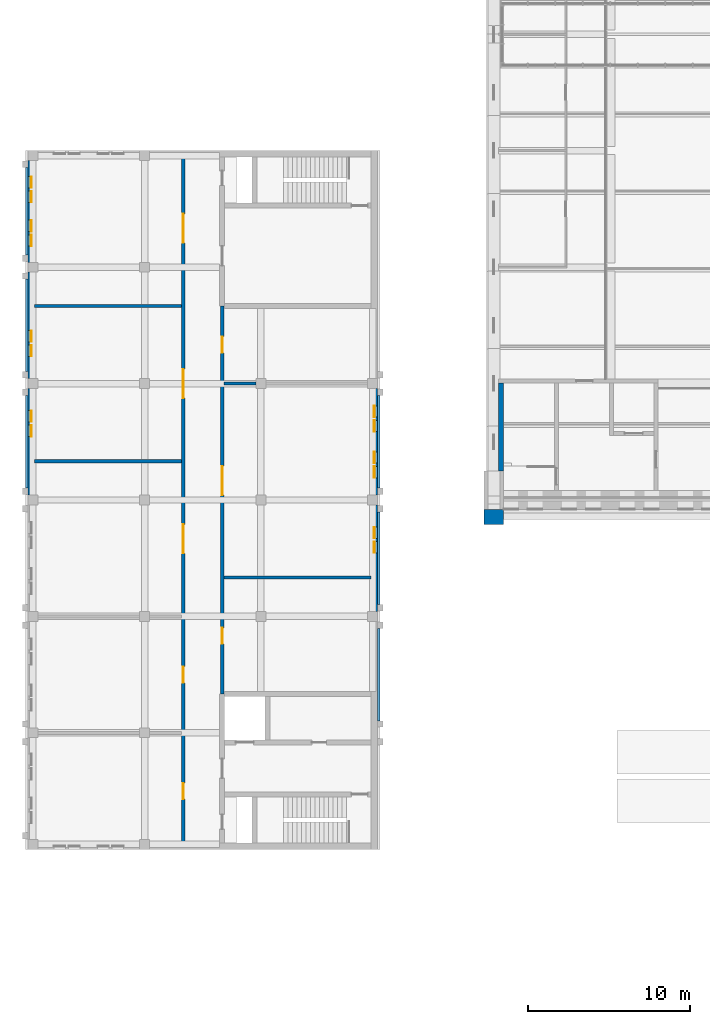
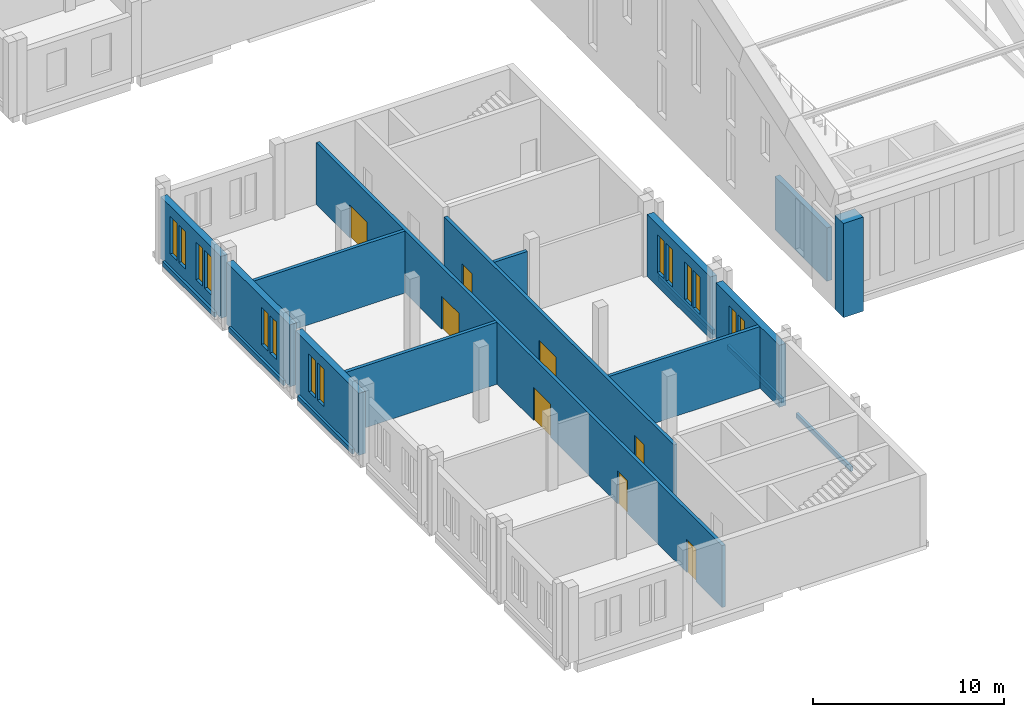
# One storey, part 122 of 149: 19 walls, 14 windows, 8 doors, 22 openings.
"""IFC4 building model written with IfcOpenShell, lengths in metres."""

from ifc_helpers import new_model, si_unit, direction, frame, frame_2d, origin, place, context, subcontext, project, spatial, rectangle, extrude, material, layer, layer_set, type_object, element, fill, save


model = new_model("IFC4")

# Units and contexts
model_context = context("Model", 3, precision=1e-05, world=origin(), true_north=direction((0.0, 1.0)))
body_context = subcontext(model_context, "Body", "Model", "MODEL_VIEW")
ifc_project = project(units=[si_unit("LENGTHUNIT", "METRE"), si_unit("AREAUNIT", "SQUARE_METRE"), si_unit("VOLUMEUNIT", "CUBIC_METRE"), si_unit("PLANEANGLEUNIT", "RADIAN"), si_unit("MASSUNIT", "GRAM", prefix="KILO")], contexts=[model_context])

# Site, building, storey
site_placement = place(None, origin())
site = spatial("IfcSite", under=ifc_project, at=site_placement, CompositionType="ELEMENT")
building_placement = place(site_placement, origin())
building = spatial("IfcBuilding", under=site, at=building_placement, Name="Alderwick Market Hall", CompositionType="ELEMENT")
storey_placement = place(building_placement, frame((0.0, 0.0, 9.60009765625)))
storey = spatial("IfcBuildingStorey", under=building, at=storey_placement, Name="L01", CompositionType="ELEMENT", Elevation=9.60009765625)

# Wall, openings, windows
ifc_material_1 = material(Name="Face brick", Category="masonry")
ifc_layer_1 = layer(ifc_material_1, 0.39990234375)
ifc_layer_set_1 = layer_set([ifc_layer_1], Name="Face brick")
wall_type_1 = type_object("IfcWallType", Name="B Brick Cavity Wall 400", PredefinedType="SOLIDWALL", material=ifc_layer_set_1)
wall_1_placement = place(storey_placement, frame((21.800048828125, 50.699951171875, 0.0), z_axis=(0.0, 0.0, 1.0), x_axis=(0.0, 1.0, 0.0)))
wall_1 = element("IfcWall", 1, at=wall_1_placement, inside=storey, type_object=wall_type_1, Name="B.S.wall.L01.021", PredefinedType="SOLIDWALL", context=body_context, shape_type="SweptSolid", body=[
    extrude(rectangle(XDim=6.60009765625, YDim=0.39990234375, at=frame_2d((3.300048828125, 0.0))), origin(), (0.0, 0.0, 1.0), 3.949951171875),
])
opening_1_placement = place(wall_1_placement, frame((3.625, 0.0, 0.89990234375)))
opening_1 = element("IfcOpeningElement", 2, at=opening_1_placement, cuts=wall_1, Name="Opening B-W134", PredefinedType="OPENING", context=body_context, shape_type="SweptSolid", body=[
    extrude(rectangle(XDim=0.699951171875, YDim=2.39990234375, at=frame_2d((0.35009765625, 1.199951171875))), frame((0.0, 0.2099609375, 0.0), z_axis=(0.0, -1.0, 0.0), x_axis=(1.0, 0.0, 0.0)), (0.0, 0.0, 1.0), 0.419921875),
])
opening_2_placement = place(wall_1_placement, frame((4.52490234375, 0.0, 0.89990234375)))
opening_2 = element("IfcOpeningElement", 3, at=opening_2_placement, cuts=wall_1, Name="Opening B-W135", PredefinedType="OPENING", context=body_context, shape_type="SweptSolid", body=[
    extrude(rectangle(XDim=0.699951171875, YDim=2.39990234375, at=frame_2d((0.35009765625, 1.199951171875))), frame((0.0, 0.2099609375, 0.0), z_axis=(0.0, -1.0, 0.0), x_axis=(1.0, 0.0, 0.0)), (0.0, 0.0, 1.0), 0.419921875),
])
ifc_material_2 = material(Name="Aluminium frame", Category="aluminium")
window_type = type_object("IfcWindowType", Name="B Piano Nobile Window 700x2400", PartitioningType="SINGLE_PANEL", PredefinedType="WINDOW", material=ifc_material_2)
window_1_placement = place(opening_1_placement, origin())
window_1 = element("IfcWindow", 4, at=window_1_placement, inside=storey, type_object=window_type, Name="Window B-W134", OverallHeight=2.39990234375, OverallWidth=0.699951171875, PartitioningType="SINGLE_PANEL", PredefinedType="WINDOW", context=body_context, shape_type="SweptSolid", body=[
    extrude(rectangle(XDim=0.699951171875, YDim=2.39990234375, at=frame_2d((0.35009765625, 1.199951171875))), frame((0.0, 0.030029296875, 0.0), z_axis=(0.0, -1.0, 0.0), x_axis=(1.0, 0.0, 0.0)), (0.0, 0.0, 1.0), 0.06005859375),
])
fill(opening_1, window_1)
window_2_placement = place(opening_2_placement, origin())
window_2 = element("IfcWindow", 5, at=window_2_placement, inside=storey, type_object=window_type, Name="Window B-W135", OverallHeight=2.39990234375, OverallWidth=0.699951171875, PartitioningType="SINGLE_PANEL", PredefinedType="WINDOW", context=body_context, shape_type="SweptSolid", body=[
    extrude(rectangle(XDim=0.699951171875, YDim=2.39990234375, at=frame_2d((0.35009765625, 1.199951171875))), frame((0.0, 0.030029296875, 0.0), z_axis=(0.0, -1.0, 0.0), x_axis=(1.0, 0.0, 0.0)), (0.0, 0.0, 1.0), 0.06005859375),
])
fill(opening_2, window_2)

wall_2_placement = place(storey_placement, frame((21.800048828125, 57.89990234375, 0.0), z_axis=(0.0, 0.0, 1.0), x_axis=(0.0, 1.0, 0.0)))
wall_2 = element("IfcWall", 6, at=wall_2_placement, inside=storey, type_object=wall_type_1, Name="B.S.wall.L01.022", PredefinedType="SOLIDWALL", context=body_context, shape_type="SweptSolid", body=[
    extrude(rectangle(XDim=6.60009765625, YDim=0.39990234375, at=frame_2d((3.300048828125, 0.0))), origin(), (0.0, 0.0, 1.0), 3.949951171875),
])
opening_3_placement = place(wall_2_placement, frame((1.375, 0.0, 0.89990234375)))
opening_3 = element("IfcOpeningElement", 7, at=opening_3_placement, cuts=wall_2, Name="Opening B-W136", PredefinedType="OPENING", context=body_context, shape_type="SweptSolid", body=[
    extrude(rectangle(XDim=0.699951171875, YDim=2.39990234375, at=frame_2d((0.35009765625, 1.199951171875))), frame((0.0, 0.2099609375, 0.0), z_axis=(0.0, -1.0, 0.0), x_axis=(1.0, 0.0, 0.0)), (0.0, 0.0, 1.0), 0.419921875),
])
opening_4_placement = place(wall_2_placement, frame((2.27490234375, 0.0, 0.89990234375)))
opening_4 = element("IfcOpeningElement", 8, at=opening_4_placement, cuts=wall_2, Name="Opening B-W137", PredefinedType="OPENING", context=body_context, shape_type="SweptSolid", body=[
    extrude(rectangle(XDim=0.699951171875, YDim=2.39990234375, at=frame_2d((0.35009765625, 1.199951171875))), frame((0.0, 0.2099609375, 0.0), z_axis=(0.0, -1.0, 0.0), x_axis=(1.0, 0.0, 0.0)), (0.0, 0.0, 1.0), 0.419921875),
])
window_3_placement = place(opening_3_placement, origin())
window_3 = element("IfcWindow", 9, at=window_3_placement, inside=storey, type_object=window_type, Name="Window B-W136", OverallHeight=2.39990234375, OverallWidth=0.699951171875, PartitioningType="SINGLE_PANEL", PredefinedType="WINDOW", context=body_context, shape_type="SweptSolid", body=[
    extrude(rectangle(XDim=0.699951171875, YDim=2.39990234375, at=frame_2d((0.35009765625, 1.199951171875))), frame((0.0, 0.030029296875, 0.0), z_axis=(0.0, -1.0, 0.0), x_axis=(1.0, 0.0, 0.0)), (0.0, 0.0, 1.0), 0.06005859375),
])
fill(opening_3, window_3)
window_4_placement = place(opening_4_placement, origin())
window_4 = element("IfcWindow", 10, at=window_4_placement, inside=storey, type_object=window_type, Name="Window B-W137", OverallHeight=2.39990234375, OverallWidth=0.699951171875, PartitioningType="SINGLE_PANEL", PredefinedType="WINDOW", context=body_context, shape_type="SweptSolid", body=[
    extrude(rectangle(XDim=0.699951171875, YDim=2.39990234375, at=frame_2d((0.35009765625, 1.199951171875))), frame((0.0, 0.030029296875, 0.0), z_axis=(0.0, -1.0, 0.0), x_axis=(1.0, 0.0, 0.0)), (0.0, 0.0, 1.0), 0.06005859375),
])
fill(opening_4, window_4)

wall_3_placement = place(storey_placement, frame((21.800048828125, 65.10009765625, 0.0), z_axis=(0.0, 0.0, 1.0), x_axis=(0.0, 1.0, 0.0)))
wall_3 = element("IfcWall", 11, at=wall_3_placement, inside=storey, type_object=wall_type_1, Name="B.S.wall.L01.023", PredefinedType="SOLIDWALL", context=body_context, shape_type="SweptSolid", body=[
    extrude(rectangle(XDim=6.2998046875, YDim=0.39990234375, at=frame_2d((3.14990234375, 0.0))), origin(), (0.0, 0.0, 1.0), 3.949951171875),
])
opening_5_placement = place(wall_3_placement, frame((1.0, 0.0, 0.89990234375)))
opening_5 = element("IfcOpeningElement", 12, at=opening_5_placement, cuts=wall_3, Name="Opening B-W138", PredefinedType="OPENING", context=body_context, shape_type="SweptSolid", body=[
    extrude(rectangle(XDim=0.699951171875, YDim=2.39990234375, at=frame_2d((0.35009765625, 1.199951171875))), frame((0.0, 0.2099609375, 0.0), z_axis=(0.0, -1.0, 0.0), x_axis=(1.0, 0.0, 0.0)), (0.0, 0.0, 1.0), 0.419921875),
])
opening_6_placement = place(wall_3_placement, frame((1.89990234375, 0.0, 0.89990234375)))
opening_6 = element("IfcOpeningElement", 13, at=opening_6_placement, cuts=wall_3, Name="Opening B-W139", PredefinedType="OPENING", context=body_context, shape_type="SweptSolid", body=[
    extrude(rectangle(XDim=0.699951171875, YDim=2.39990234375, at=frame_2d((0.35009765625, 1.199951171875))), frame((0.0, 0.2099609375, 0.0), z_axis=(0.0, -1.0, 0.0), x_axis=(1.0, 0.0, 0.0)), (0.0, 0.0, 1.0), 0.419921875),
])
opening_7_placement = place(wall_3_placement, frame((3.699951171875, 0.0, 0.89990234375)))
opening_7 = element("IfcOpeningElement", 14, at=opening_7_placement, cuts=wall_3, Name="Opening B-W140", PredefinedType="OPENING", context=body_context, shape_type="SweptSolid", body=[
    extrude(rectangle(XDim=0.699951171875, YDim=2.39990234375, at=frame_2d((0.35009765625, 1.199951171875))), frame((0.0, 0.2099609375, 0.0), z_axis=(0.0, -1.0, 0.0), x_axis=(1.0, 0.0, 0.0)), (0.0, 0.0, 1.0), 0.419921875),
])
opening_8_placement = place(wall_3_placement, frame((4.60009765625, 0.0, 0.89990234375)))
opening_8 = element("IfcOpeningElement", 15, at=opening_8_placement, cuts=wall_3, Name="Opening B-W141", PredefinedType="OPENING", context=body_context, shape_type="SweptSolid", body=[
    extrude(rectangle(XDim=0.699951171875, YDim=2.39990234375, at=frame_2d((0.35009765625, 1.199951171875))), frame((0.0, 0.2099609375, 0.0), z_axis=(0.0, -1.0, 0.0), x_axis=(1.0, 0.0, 0.0)), (0.0, 0.0, 1.0), 0.419921875),
])
window_5_placement = place(opening_5_placement, origin())
window_5 = element("IfcWindow", 16, at=window_5_placement, inside=storey, type_object=window_type, Name="Window B-W138", OverallHeight=2.39990234375, OverallWidth=0.699951171875, PartitioningType="SINGLE_PANEL", PredefinedType="WINDOW", context=body_context, shape_type="SweptSolid", body=[
    extrude(rectangle(XDim=0.699951171875, YDim=2.39990234375, at=frame_2d((0.35009765625, 1.199951171875))), frame((0.0, 0.030029296875, 0.0), z_axis=(0.0, -1.0, 0.0), x_axis=(1.0, 0.0, 0.0)), (0.0, 0.0, 1.0), 0.06005859375),
])
fill(opening_5, window_5)
window_6_placement = place(opening_6_placement, origin())
window_6 = element("IfcWindow", 17, at=window_6_placement, inside=storey, type_object=window_type, Name="Window B-W139", OverallHeight=2.39990234375, OverallWidth=0.699951171875, PartitioningType="SINGLE_PANEL", PredefinedType="WINDOW", context=body_context, shape_type="SweptSolid", body=[
    extrude(rectangle(XDim=0.699951171875, YDim=2.39990234375, at=frame_2d((0.35009765625, 1.199951171875))), frame((0.0, 0.030029296875, 0.0), z_axis=(0.0, -1.0, 0.0), x_axis=(1.0, 0.0, 0.0)), (0.0, 0.0, 1.0), 0.06005859375),
])
fill(opening_6, window_6)
window_7_placement = place(opening_7_placement, origin())
window_7 = element("IfcWindow", 18, at=window_7_placement, inside=storey, type_object=window_type, Name="Window B-W140", OverallHeight=2.39990234375, OverallWidth=0.699951171875, PartitioningType="SINGLE_PANEL", PredefinedType="WINDOW", context=body_context, shape_type="SweptSolid", body=[
    extrude(rectangle(XDim=0.699951171875, YDim=2.39990234375, at=frame_2d((0.35009765625, 1.199951171875))), frame((0.0, 0.030029296875, 0.0), z_axis=(0.0, -1.0, 0.0), x_axis=(1.0, 0.0, 0.0)), (0.0, 0.0, 1.0), 0.06005859375),
])
fill(opening_7, window_7)
window_8_placement = place(opening_8_placement, origin())
window_8 = element("IfcWindow", 19, at=window_8_placement, inside=storey, type_object=window_type, Name="Window B-W141", OverallHeight=2.39990234375, OverallWidth=0.699951171875, PartitioningType="SINGLE_PANEL", PredefinedType="WINDOW", context=body_context, shape_type="SweptSolid", body=[
    extrude(rectangle(XDim=0.699951171875, YDim=2.39990234375, at=frame_2d((0.35009765625, 1.199951171875))), frame((0.0, 0.030029296875, 0.0), z_axis=(0.0, -1.0, 0.0), x_axis=(1.0, 0.0, 0.0)), (0.0, 0.0, 1.0), 0.06005859375),
])
fill(opening_8, window_8)

wall_4_placement = place(storey_placement, frame((43.0, 43.5, 0.0), z_axis=(0.0, 0.0, 1.0), x_axis=(0.0, 1.0, 0.0)))
wall_4 = element("IfcWall", 20, at=wall_4_placement, inside=storey, type_object=wall_type_1, Name="B.S.wall.L01.032", PredefinedType="SOLIDWALL", context=body_context, shape_type="SweptSolid", body=[
    extrude(rectangle(XDim=6.60009765625, YDim=0.39990234375, at=frame_2d((3.300048828125, 0.0))), origin(), (0.0, 0.0, 1.0), 3.949951171875),
])
opening_9_placement = place(wall_4_placement, frame((3.625, 0.0, 0.89990234375)))
opening_9 = element("IfcOpeningElement", 21, at=opening_9_placement, cuts=wall_4, Name="Opening B-W142", PredefinedType="OPENING", context=body_context, shape_type="SweptSolid", body=[
    extrude(rectangle(XDim=0.699951171875, YDim=2.39990234375, at=frame_2d((0.35009765625, 1.199951171875))), frame((0.0, 0.2099609375, 0.0), z_axis=(0.0, -1.0, 0.0), x_axis=(1.0, 0.0, 0.0)), (0.0, 0.0, 1.0), 0.419921875),
])
opening_10_placement = place(wall_4_placement, frame((4.52490234375, 0.0, 0.89990234375)))
opening_10 = element("IfcOpeningElement", 22, at=opening_10_placement, cuts=wall_4, Name="Opening B-W143", PredefinedType="OPENING", context=body_context, shape_type="SweptSolid", body=[
    extrude(rectangle(XDim=0.699951171875, YDim=2.39990234375, at=frame_2d((0.35009765625, 1.199951171875))), frame((0.0, 0.2099609375, 0.0), z_axis=(0.0, -1.0, 0.0), x_axis=(1.0, 0.0, 0.0)), (0.0, 0.0, 1.0), 0.419921875),
])
window_9_placement = place(opening_9_placement, origin())
window_9 = element("IfcWindow", 23, at=window_9_placement, inside=storey, type_object=window_type, Name="Window B-W142", OverallHeight=2.39990234375, OverallWidth=0.699951171875, PartitioningType="SINGLE_PANEL", PredefinedType="WINDOW", context=body_context, shape_type="SweptSolid", body=[
    extrude(rectangle(XDim=0.699951171875, YDim=2.39990234375, at=frame_2d((0.35009765625, 1.199951171875))), frame((0.0, 0.030029296875, 0.0), z_axis=(0.0, -1.0, 0.0), x_axis=(1.0, 0.0, 0.0)), (0.0, 0.0, 1.0), 0.06005859375),
])
fill(opening_9, window_9)
window_10_placement = place(opening_10_placement, origin())
window_10 = element("IfcWindow", 24, at=window_10_placement, inside=storey, type_object=window_type, Name="Window B-W143", OverallHeight=2.39990234375, OverallWidth=0.699951171875, PartitioningType="SINGLE_PANEL", PredefinedType="WINDOW", context=body_context, shape_type="SweptSolid", body=[
    extrude(rectangle(XDim=0.699951171875, YDim=2.39990234375, at=frame_2d((0.35009765625, 1.199951171875))), frame((0.0, 0.030029296875, 0.0), z_axis=(0.0, -1.0, 0.0), x_axis=(1.0, 0.0, 0.0)), (0.0, 0.0, 1.0), 0.06005859375),
])
fill(opening_10, window_10)

wall_5_placement = place(storey_placement, frame((43.0, 50.699951171875, 0.0), z_axis=(0.0, 0.0, 1.0), x_axis=(0.0, 1.0, 0.0)))
wall_5 = element("IfcWall", 25, at=wall_5_placement, inside=storey, type_object=wall_type_1, Name="B.S.wall.L01.033", PredefinedType="SOLIDWALL", context=body_context, shape_type="SweptSolid", body=[
    extrude(rectangle(XDim=6.60009765625, YDim=0.39990234375, at=frame_2d((3.300048828125, 0.0))), origin(), (0.0, 0.0, 1.0), 3.949951171875),
])
opening_11_placement = place(wall_5_placement, frame((1.074951171875, 0.0, 0.89990234375)))
opening_11 = element("IfcOpeningElement", 26, at=opening_11_placement, cuts=wall_5, Name="Opening B-W144", PredefinedType="OPENING", context=body_context, shape_type="SweptSolid", body=[
    extrude(rectangle(XDim=0.699951171875, YDim=2.39990234375, at=frame_2d((0.35009765625, 1.199951171875))), frame((0.0, 0.2099609375, 0.0), z_axis=(0.0, -1.0, 0.0), x_axis=(1.0, 0.0, 0.0)), (0.0, 0.0, 1.0), 0.419921875),
])
opening_12_placement = place(wall_5_placement, frame((1.97509765625, 0.0, 0.89990234375)))
opening_12 = element("IfcOpeningElement", 27, at=opening_12_placement, cuts=wall_5, Name="Opening B-W145", PredefinedType="OPENING", context=body_context, shape_type="SweptSolid", body=[
    extrude(rectangle(XDim=0.699951171875, YDim=2.39990234375, at=frame_2d((0.35009765625, 1.199951171875))), frame((0.0, 0.2099609375, 0.0), z_axis=(0.0, -1.0, 0.0), x_axis=(1.0, 0.0, 0.0)), (0.0, 0.0, 1.0), 0.419921875),
])
opening_13_placement = place(wall_5_placement, frame((3.925048828125, 0.0, 0.89990234375)))
opening_13 = element("IfcOpeningElement", 28, at=opening_13_placement, cuts=wall_5, Name="Opening B-W146", PredefinedType="OPENING", context=body_context, shape_type="SweptSolid", body=[
    extrude(rectangle(XDim=0.699951171875, YDim=2.39990234375, at=frame_2d((0.35009765625, 1.199951171875))), frame((0.0, 0.2099609375, 0.0), z_axis=(0.0, -1.0, 0.0), x_axis=(1.0, 0.0, 0.0)), (0.0, 0.0, 1.0), 0.419921875),
])
opening_14_placement = place(wall_5_placement, frame((4.824951171875, 0.0, 0.89990234375)))
opening_14 = element("IfcOpeningElement", 29, at=opening_14_placement, cuts=wall_5, Name="Opening B-W147", PredefinedType="OPENING", context=body_context, shape_type="SweptSolid", body=[
    extrude(rectangle(XDim=0.699951171875, YDim=2.39990234375, at=frame_2d((0.35009765625, 1.199951171875))), frame((0.0, 0.2099609375, 0.0), z_axis=(0.0, -1.0, 0.0), x_axis=(1.0, 0.0, 0.0)), (0.0, 0.0, 1.0), 0.419921875),
])
window_11_placement = place(opening_11_placement, origin())
window_11 = element("IfcWindow", 30, at=window_11_placement, inside=storey, type_object=window_type, Name="Window B-W144", OverallHeight=2.39990234375, OverallWidth=0.699951171875, PartitioningType="SINGLE_PANEL", PredefinedType="WINDOW", context=body_context, shape_type="SweptSolid", body=[
    extrude(rectangle(XDim=0.699951171875, YDim=2.39990234375, at=frame_2d((0.35009765625, 1.199951171875))), frame((0.0, 0.030029296875, 0.0), z_axis=(0.0, -1.0, 0.0), x_axis=(1.0, 0.0, 0.0)), (0.0, 0.0, 1.0), 0.06005859375),
])
fill(opening_11, window_11)
window_12_placement = place(opening_12_placement, origin())
window_12 = element("IfcWindow", 31, at=window_12_placement, inside=storey, type_object=window_type, Name="Window B-W145", OverallHeight=2.39990234375, OverallWidth=0.699951171875, PartitioningType="SINGLE_PANEL", PredefinedType="WINDOW", context=body_context, shape_type="SweptSolid", body=[
    extrude(rectangle(XDim=0.699951171875, YDim=2.39990234375, at=frame_2d((0.35009765625, 1.199951171875))), frame((0.0, 0.030029296875, 0.0), z_axis=(0.0, -1.0, 0.0), x_axis=(1.0, 0.0, 0.0)), (0.0, 0.0, 1.0), 0.06005859375),
])
fill(opening_12, window_12)
window_13_placement = place(opening_13_placement, origin())
window_13 = element("IfcWindow", 32, at=window_13_placement, inside=storey, type_object=window_type, Name="Window B-W146", OverallHeight=2.39990234375, OverallWidth=0.699951171875, PartitioningType="SINGLE_PANEL", PredefinedType="WINDOW", context=body_context, shape_type="SweptSolid", body=[
    extrude(rectangle(XDim=0.699951171875, YDim=2.39990234375, at=frame_2d((0.35009765625, 1.199951171875))), frame((0.0, 0.030029296875, 0.0), z_axis=(0.0, -1.0, 0.0), x_axis=(1.0, 0.0, 0.0)), (0.0, 0.0, 1.0), 0.06005859375),
])
fill(opening_13, window_13)
window_14_placement = place(opening_14_placement, origin())
window_14 = element("IfcWindow", 33, at=window_14_placement, inside=storey, type_object=window_type, Name="Window B-W147", OverallHeight=2.39990234375, OverallWidth=0.699951171875, PartitioningType="SINGLE_PANEL", PredefinedType="WINDOW", context=body_context, shape_type="SweptSolid", body=[
    extrude(rectangle(XDim=0.699951171875, YDim=2.39990234375, at=frame_2d((0.35009765625, 1.199951171875))), frame((0.0, 0.030029296875, 0.0), z_axis=(0.0, -1.0, 0.0), x_axis=(1.0, 0.0, 0.0)), (0.0, 0.0, 1.0), 0.06005859375),
])
fill(opening_14, window_14)

# Walls
ifc_material_3 = material(Name="Cast stone 5000 psi", Category="masonry")
ifc_layer_2 = layer(ifc_material_3, 0.14990234375)
ifc_layer_set_2 = layer_set([ifc_layer_2], Name="Cast stone 5000 psi")
wall_type_2 = type_object("IfcWallType", Name="B Cast Stone String Course 150", PredefinedType="SOLIDWALL", material=ifc_layer_set_2)
wall_6_placement = place(storey_placement, frame((21.52490234375, 51.14990234375, -0.150146484375), z_axis=(0.0, 0.0, 1.0), x_axis=(0.0, 1.0, 0.0)))
element("IfcWall", 34, at=wall_6_placement, inside=storey, type_object=wall_type_2, Name="B.S.string.W.07", PredefinedType="SOLIDWALL", context=body_context, shape_type="SweptSolid", body=[
    extrude(rectangle(XDim=5.7001953125, YDim=0.14990234375, at=frame_2d((2.85009765625, 0.0))), origin(), (0.0, 0.0, 1.0), 0.300048828125),
])
wall_7_placement = place(storey_placement, frame((21.52490234375, 58.35009765625, -0.150146484375), z_axis=(0.0, 0.0, 1.0), x_axis=(0.0, 1.0, 0.0)))
element("IfcWall", 35, at=wall_7_placement, inside=storey, type_object=wall_type_2, Name="B.S.string.W.09", PredefinedType="SOLIDWALL", context=body_context, shape_type="SweptSolid", body=[
    extrude(rectangle(XDim=5.699951171875, YDim=0.14990234375, at=frame_2d((2.85009765625, 0.0))), origin(), (0.0, 0.0, 1.0), 0.300048828125),
])
wall_8_placement = place(storey_placement, frame((21.52490234375, 65.550048828125, -0.150146484375), z_axis=(0.0, 0.0, 1.0), x_axis=(0.0, 1.0, 0.0)))
element("IfcWall", 36, at=wall_8_placement, inside=storey, type_object=wall_type_2, Name="B.S.string.W.11", PredefinedType="SOLIDWALL", context=body_context, shape_type="SweptSolid", body=[
    extrude(rectangle(XDim=5.39990234375, YDim=0.14990234375, at=frame_2d((2.699951171875, 0.0))), origin(), (0.0, 0.0, 1.0), 0.300048828125),
])
for number, where, z_axis, x_axis, name in (
    (37, (43.27490234375, 36.75, -0.150146484375), (0.0, 0.0, 1.0), (0.0, 1.0, 0.0), "B.S.string.E.02"),
    (38, (43.27490234375, 43.949951171875, -0.150146484375), (0.0, 0.0, 1.0), (0.0, 1.0, 0.0), "B.S.string.E.04"),
):
    element("IfcWall", number, at=place(storey_placement, frame(where, z_axis=z_axis, x_axis=x_axis)), inside=storey, type_object=wall_type_2, Name=name, PredefinedType="SOLIDWALL", context=body_context, shape_type="SweptSolid", body=[
        extrude(rectangle(XDim=5.699951171875, YDim=0.14990234375, at=frame_2d((2.85009765625, 0.0))), origin(), (0.0, 0.0, 1.0), 0.300048828125),
    ])
wall_9_placement = place(storey_placement, frame((43.27490234375, 51.14990234375, -0.150146484375), z_axis=(0.0, 0.0, 1.0), x_axis=(0.0, 1.0, 0.0)))
element("IfcWall", 39, at=wall_9_placement, inside=storey, type_object=wall_type_2, Name="B.S.string.E.06", PredefinedType="SOLIDWALL", context=body_context, shape_type="SweptSolid", body=[
    extrude(rectangle(XDim=5.7001953125, YDim=0.14990234375, at=frame_2d((2.85009765625, 0.0))), origin(), (0.0, 0.0, 1.0), 0.300048828125),
])
ifc_material_4 = material(Name="Concrete masonry 3000 psi", Category="masonry")
ifc_layer_3 = layer(ifc_material_4, 0.199951171875)
ifc_layer_set_3 = layer_set([ifc_layer_3], Name="Concrete masonry 3000 psi")
wall_type_3 = type_object("IfcWallType", Name="B Masonry Partition 200", PredefinedType="PARTITIONING", material=ifc_layer_set_3)
for number, where, z_axis, x_axis, name in (
    (40, (33.699951171875, 45.60009765625, 0.0), (0.0, 0.0, 1.0), (1.0, 0.0, 0.0), "B.S.wall.L01.009"),
    (41, (22.0, 52.800048828125, 0.0), (0.0, 0.0, 1.0), (1.0, 0.0, 0.0), "B.S.wall.L01.010"),
):
    element("IfcWall", number, at=place(storey_placement, frame(where, z_axis=z_axis, x_axis=x_axis)), inside=storey, type_object=wall_type_3, Name=name, PredefinedType="PARTITIONING", context=body_context, shape_type="SweptSolid", body=[
        extrude(rectangle(XDim=9.10009765625, YDim=0.199951171875, at=frame_2d((4.550048828125, 0.0))), origin(), (0.0, 0.0, 1.0), 3.949951171875),
    ])
wall_10_placement = place(storey_placement, frame((33.699951171875, 57.60009765625, 0.0), z_axis=(0.0, 0.0, 1.0), x_axis=(1.0, 0.0, 0.0)))
element("IfcWall", 42, at=wall_10_placement, inside=storey, type_object=wall_type_3, Name="B.S.wall.L01.011", PredefinedType="PARTITIONING", context=body_context, shape_type="SweptSolid", body=[
    extrude(rectangle(XDim=2.0, YDim=0.199951171875, at=frame_2d((1.0, 0.0))), origin(), (0.0, 0.0, 1.0), 3.949951171875),
])
wall_11_placement = place(storey_placement, frame((22.0, 62.39990234375, 0.0), z_axis=(0.0, 0.0, 1.0), x_axis=(1.0, 0.0, 0.0)))
element("IfcWall", 43, at=wall_11_placement, inside=storey, type_object=wall_type_3, Name="B.S.wall.L01.013", PredefinedType="PARTITIONING", context=body_context, shape_type="SweptSolid", body=[
    extrude(rectangle(XDim=9.10009765625, YDim=0.199951171875, at=frame_2d((4.550048828125, 0.0))), origin(), (0.0, 0.0, 1.0), 3.949951171875),
])

# Wall, openings, doors
wall_12_placement = place(storey_placement, frame((31.199951171875, 29.199951171875, 0.0), z_axis=(0.0, 0.0, 1.0), x_axis=(0.0, 1.0, 0.0)))
wall_12 = element("IfcWall", 44, at=wall_12_placement, inside=storey, type_object=wall_type_3, Name="B.S.wall.L01.024", PredefinedType="PARTITIONING", context=body_context, shape_type="SweptSolid", body=[
    extrude(rectangle(XDim=42.400146484375, YDim=0.199951171875, at=frame_2d((21.2001953125, 0.0))), origin(), (0.0, 0.0, 1.0), 3.949951171875),
])
opening_15_placement = place(wall_12_placement, frame((2.699951171875, 0.0, 0.0)))
opening_15 = element("IfcOpeningElement", 45, at=opening_15_placement, cuts=wall_12, Name="Opening B-D112", PredefinedType="OPENING", context=body_context, shape_type="SweptSolid", body=[
    extrude(rectangle(XDim=1.0, YDim=2.10009765625, at=frame_2d((0.5, 1.050048828125))), frame((0.0, 0.10986328125, 0.0), z_axis=(0.0, -1.0, 0.0), x_axis=(1.0, 0.0, 0.0)), (0.0, 0.0, 1.0), 0.219970703125),
])
opening_16_placement = place(wall_12_placement, frame((9.89990234375, 0.0, 0.0)))
opening_16 = element("IfcOpeningElement", 46, at=opening_16_placement, cuts=wall_12, Name="Opening B-D113", PredefinedType="OPENING", context=body_context, shape_type="SweptSolid", body=[
    extrude(rectangle(XDim=1.0, YDim=2.10009765625, at=frame_2d((0.5, 1.050048828125))), frame((0.0, 0.10986328125, 0.0), z_axis=(0.0, -1.0, 0.0), x_axis=(1.0, 0.0, 0.0)), (0.0, 0.0, 1.0), 0.219970703125),
])
opening_17_placement = place(wall_12_placement, frame((17.89990234375, 0.0, 0.0)))
opening_17 = element("IfcOpeningElement", 47, at=opening_17_placement, cuts=wall_12, Name="Opening B-D114", PredefinedType="OPENING", context=body_context, shape_type="SweptSolid", body=[
    extrude(rectangle(XDim=1.800048828125, YDim=2.10009765625, at=frame_2d((0.89990234375, 1.050048828125))), frame((0.0, 0.10986328125, 0.0), z_axis=(0.0, -1.0, 0.0), x_axis=(1.0, 0.0, 0.0)), (0.0, 0.0, 1.0), 0.219970703125),
])
opening_18_placement = place(wall_12_placement, frame((27.5, 0.0, 0.0)))
opening_18 = element("IfcOpeningElement", 48, at=opening_18_placement, cuts=wall_12, Name="Opening B-D115", PredefinedType="OPENING", context=body_context, shape_type="SweptSolid", body=[
    extrude(rectangle(XDim=1.800048828125, YDim=2.10009765625, at=frame_2d((0.89990234375, 1.050048828125))), frame((0.0, 0.10986328125, 0.0), z_axis=(0.0, -1.0, 0.0), x_axis=(1.0, 0.0, 0.0)), (0.0, 0.0, 1.0), 0.219970703125),
])
opening_19_placement = place(wall_12_placement, frame((37.10009765625, 0.0, 0.0)))
opening_19 = element("IfcOpeningElement", 49, at=opening_19_placement, cuts=wall_12, Name="Opening B-D116", PredefinedType="OPENING", context=body_context, shape_type="SweptSolid", body=[
    extrude(rectangle(XDim=1.800048828125, YDim=2.10009765625, at=frame_2d((0.89990234375, 1.050048828125))), frame((0.0, 0.10986328125, 0.0), z_axis=(0.0, -1.0, 0.0), x_axis=(1.0, 0.0, 0.0)), (0.0, 0.0, 1.0), 0.219970703125),
])
ifc_material_5 = material(Name="Hollow metal door and frame")
door_type_1 = type_object("IfcDoorType", Name="B Door 1000x2100", OperationType="SINGLE_SWING_LEFT", PredefinedType="DOOR", material=ifc_material_5)
door_1_placement = place(opening_15_placement, origin())
door_1 = element("IfcDoor", 50, at=door_1_placement, inside=storey, type_object=door_type_1, Name="Locker Room door", OperationType="SINGLE_SWING_RIGHT", OverallHeight=2.10009765625, OverallWidth=1.0, PredefinedType="DOOR", context=body_context, shape_type="SweptSolid", body=[
    extrude(rectangle(XDim=1.0, YDim=2.10009765625, at=frame_2d((0.5, 1.050048828125))), frame((0.0, 0.02490234375, 0.0), z_axis=(0.0, -1.0, 0.0), x_axis=(1.0, 0.0, 0.0)), (0.0, 0.0, 1.0), 0.050048828125),
])
fill(opening_15, door_1)
door_2_placement = place(opening_16_placement, origin())
door_2 = element("IfcDoor", 51, at=door_2_placement, inside=storey, type_object=door_type_1, Name="Staff WC door", OperationType="SINGLE_SWING_LEFT", OverallHeight=2.10009765625, OverallWidth=1.0, PredefinedType="DOOR", context=body_context, shape_type="SweptSolid", body=[
    extrude(rectangle(XDim=1.0, YDim=2.10009765625, at=frame_2d((0.5, 1.050048828125))), frame((0.0, 0.02490234375, 0.0), z_axis=(0.0, -1.0, 0.0), x_axis=(1.0, 0.0, 0.0)), (0.0, 0.0, 1.0), 0.050048828125),
])
fill(opening_16, door_2)
door_type_2 = type_object("IfcDoorType", Name="B Double Door 1800x2100", OperationType="DOUBLE_DOOR_DOUBLE_SWING", PredefinedType="DOOR", material=ifc_material_5)
door_3_placement = place(opening_17_placement, origin())
door_3 = element("IfcDoor", 52, at=door_3_placement, inside=storey, type_object=door_type_2, Name="Craft Workshop door", OperationType="DOUBLE_DOOR_DOUBLE_SWING", OverallHeight=2.10009765625, OverallWidth=1.800048828125, PredefinedType="DOOR", context=body_context, shape_type="SweptSolid", body=[
    extrude(rectangle(XDim=1.800048828125, YDim=2.10009765625, at=frame_2d((0.89990234375, 1.050048828125))), frame((0.0, 0.02490234375, 0.0), z_axis=(0.0, -1.0, 0.0), x_axis=(1.0, 0.0, 0.0)), (0.0, 0.0, 1.0), 0.050048828125),
])
fill(opening_17, door_3)
door_4_placement = place(opening_18_placement, origin())
door_4 = element("IfcDoor", 53, at=door_4_placement, inside=storey, type_object=door_type_2, Name="Craft Workshop door", OperationType="DOUBLE_DOOR_DOUBLE_SWING", OverallHeight=2.10009765625, OverallWidth=1.800048828125, PredefinedType="DOOR", context=body_context, shape_type="SweptSolid", body=[
    extrude(rectangle(XDim=1.800048828125, YDim=2.10009765625, at=frame_2d((0.89990234375, 1.050048828125))), frame((0.0, 0.02490234375, 0.0), z_axis=(0.0, -1.0, 0.0), x_axis=(1.0, 0.0, 0.0)), (0.0, 0.0, 1.0), 0.050048828125),
])
fill(opening_18, door_4)
door_5_placement = place(opening_19_placement, origin())
door_5 = element("IfcDoor", 54, at=door_5_placement, inside=storey, type_object=door_type_2, Name="Craft Workshop door", OperationType="DOUBLE_DOOR_DOUBLE_SWING", OverallHeight=2.10009765625, OverallWidth=1.800048828125, PredefinedType="DOOR", context=body_context, shape_type="SweptSolid", body=[
    extrude(rectangle(XDim=1.800048828125, YDim=2.10009765625, at=frame_2d((0.89990234375, 1.050048828125))), frame((0.0, 0.02490234375, 0.0), z_axis=(0.0, -1.0, 0.0), x_axis=(1.0, 0.0, 0.0)), (0.0, 0.0, 1.0), 0.050048828125),
])
fill(opening_19, door_5)

wall_13_placement = place(storey_placement, frame((33.60009765625, 38.39990234375, 0.0), z_axis=(0.0, 0.0, 1.0), x_axis=(0.0, 1.0, 0.0)))
wall_13 = element("IfcWall", 55, at=wall_13_placement, inside=storey, type_object=wall_type_3, Name="B.S.wall.L01.026", PredefinedType="PARTITIONING", context=body_context, shape_type="SweptSolid", body=[
    extrude(rectangle(XDim=24.0, YDim=0.199951171875, at=frame_2d((12.0, 0.0))), origin(), (0.0, 0.0, 1.0), 3.949951171875),
])
opening_20_placement = place(wall_13_placement, frame((3.10009765625, 0.0, 0.0)))
opening_20 = element("IfcOpeningElement", 56, at=opening_20_placement, cuts=wall_13, Name="Opening B-D117", PredefinedType="OPENING", context=body_context, shape_type="SweptSolid", body=[
    extrude(rectangle(XDim=1.0, YDim=2.10009765625, at=frame_2d((0.5, 1.050048828125))), frame((0.0, 0.10986328125, 0.0), z_axis=(0.0, -1.0, 0.0), x_axis=(1.0, 0.0, 0.0)), (0.0, 0.0, 1.0), 0.219970703125),
])
opening_21_placement = place(wall_13_placement, frame((12.300048828125, 0.0, 0.0)))
opening_21 = element("IfcOpeningElement", 57, at=opening_21_placement, cuts=wall_13, Name="Opening B-D118", PredefinedType="OPENING", context=body_context, shape_type="SweptSolid", body=[
    extrude(rectangle(XDim=1.800048828125, YDim=2.10009765625, at=frame_2d((0.89990234375, 1.050048828125))), frame((0.0, 0.10986328125, 0.0), z_axis=(0.0, -1.0, 0.0), x_axis=(1.0, 0.0, 0.0)), (0.0, 0.0, 1.0), 0.219970703125),
])
opening_22_placement = place(wall_13_placement, frame((21.10009765625, 0.0, 0.0)))
opening_22 = element("IfcOpeningElement", 58, at=opening_22_placement, cuts=wall_13, Name="Opening B-D119", PredefinedType="OPENING", context=body_context, shape_type="SweptSolid", body=[
    extrude(rectangle(XDim=1.0, YDim=2.10009765625, at=frame_2d((0.5, 1.050048828125))), frame((0.0, 0.10986328125, 0.0), z_axis=(0.0, -1.0, 0.0), x_axis=(1.0, 0.0, 0.0)), (0.0, 0.0, 1.0), 0.219970703125),
])
door_6_placement = place(opening_20_placement, origin())
door_6 = element("IfcDoor", 59, at=door_6_placement, inside=storey, type_object=door_type_1, Name="Staff Room door", OperationType="SINGLE_SWING_LEFT", OverallHeight=2.10009765625, OverallWidth=1.0, PredefinedType="DOOR", context=body_context, shape_type="SweptSolid", body=[
    extrude(rectangle(XDim=1.0, YDim=2.10009765625, at=frame_2d((0.5, 1.050048828125))), frame((0.0, 0.02490234375, 0.0), z_axis=(0.0, -1.0, 0.0), x_axis=(1.0, 0.0, 0.0)), (0.0, 0.0, 1.0), 0.050048828125),
])
fill(opening_20, door_6)
door_7_placement = place(opening_22_placement, origin())
door_7 = element("IfcDoor", 60, at=door_7_placement, inside=storey, type_object=door_type_1, Name="Delivery Dispatch Office door", OperationType="SINGLE_SWING_LEFT", OverallHeight=2.10009765625, OverallWidth=1.0, PredefinedType="DOOR", context=body_context, shape_type="SweptSolid", body=[
    extrude(rectangle(XDim=1.0, YDim=2.10009765625, at=frame_2d((0.5, 1.050048828125))), frame((0.0, 0.02490234375, 0.0), z_axis=(0.0, -1.0, 0.0), x_axis=(1.0, 0.0, 0.0)), (0.0, 0.0, 1.0), 0.050048828125),
])
fill(opening_22, door_7)
door_8_placement = place(opening_21_placement, origin())
door_8 = element("IfcDoor", 61, at=door_8_placement, inside=storey, type_object=door_type_2, Name="Craft Workshop door", OperationType="DOUBLE_DOOR_DOUBLE_SWING", OverallHeight=2.10009765625, OverallWidth=1.800048828125, PredefinedType="DOOR", context=body_context, shape_type="SweptSolid", body=[
    extrude(rectangle(XDim=1.800048828125, YDim=2.10009765625, at=frame_2d((0.89990234375, 1.050048828125))), frame((0.0, 0.02490234375, 0.0), z_axis=(0.0, -1.0, 0.0), x_axis=(1.0, 0.0, 0.0)), (0.0, 0.0, 1.0), 0.050048828125),
])
fill(opening_21, door_8)

# Walls
ifc_material_6 = material(Name="Face brick masonry, ASTM C216 grade SW (f'm 17 MPa)", Category="masonry")
ifc_layer_4 = layer(ifc_material_6, 0.89990234375)
ifc_layer_set_4 = layer_set([ifc_layer_4], Name="Face brick masonry, ASTM C216 grade SW (f'm 17 MPa)")
wall_type_4 = type_object("IfcWallType", Name="H Buttress pier 900", PredefinedType="SOLIDWALL", material=ifc_layer_set_4)
wall_14_placement = place(storey_placement, frame((49.800048828125, 49.35009765625, 0.0), z_axis=(0.0, 0.0, 1.0), x_axis=(1.0, 0.0, 0.0)))
element("IfcWall", 62, at=wall_14_placement, inside=storey, type_object=wall_type_4, Name="Buttress pier S1", PredefinedType="SOLIDWALL", context=body_context, shape_type="SweptSolid", body=[
    extrude(rectangle(XDim=1.199951171875, YDim=0.89990234375, at=frame_2d((0.60009765625, 0.0))), origin(), (0.0, 0.0, 1.0), 6.0),
])
ifc_material_7 = material(Name="Concrete 5000 psi (f'c 35 MPa)", Category="concrete")
ifc_layer_5 = layer(ifc_material_7, 0.300048828125)
ifc_layer_set_5 = layer_set([ifc_layer_5], Name="Concrete 5000 psi (f'c 35 MPa)")
wall_type_5 = type_object("IfcWallType", Name="H Stair furring wall 300", PredefinedType="SOLIDWALL", material=ifc_layer_set_5)
wall_15_placement = place(storey_placement, frame((50.85009765625, 52.199951171875, 0.0), z_axis=(0.0, 0.0, 1.0), x_axis=(0.0, 1.0, 0.0)))
element("IfcWall", 63, at=wall_15_placement, inside=storey, type_object=wall_type_5, Name="Core wall H-SW", PredefinedType="SOLIDWALL", context=body_context, shape_type="SweptSolid", body=[
    extrude(rectangle(XDim=5.43994140625, YDim=0.300048828125, at=frame_2d((2.719970703125, 0.0))), origin(), (0.0, 0.0, 1.0), 3.39990234375),
])

save(model, "model.ifc")
